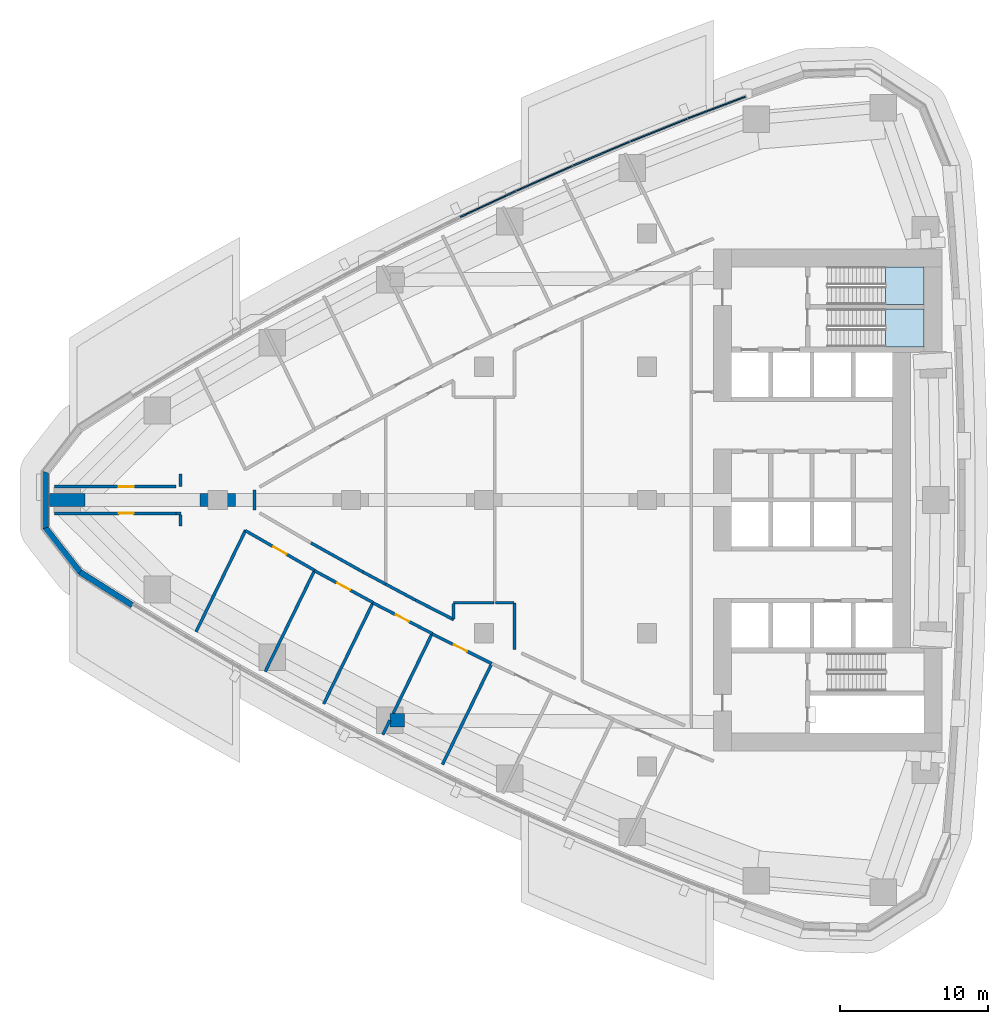
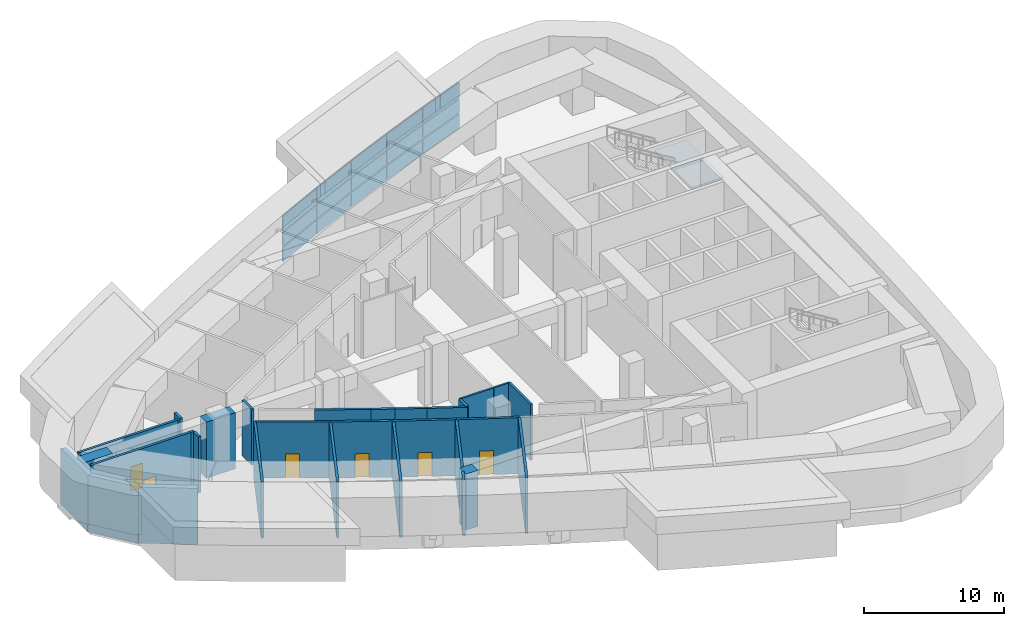
# One storey, part 9 of 17: 30 walls, 15 plates, 6 doors, 2 slabs, 6 openings, 5 elements without a shape of their own.
"""IFC4 building model written with IfcOpenShell, lengths in metres."""

from ifc_helpers import new_model, si_unit, direction, frame, frame_2d, origin, origin_2d, place, context, subcontext, project, spatial, polyline, rectangle, outline, extrude, material, layer, layer_set, type_object, element, fill, aggregate, save


model = new_model("IFC4")

# Units and contexts
model_context = context("Model", 3, precision=1e-05, world=origin(), true_north=direction((0.0, 1.0)))
body_context = subcontext(model_context, "Body", "Model", "MODEL_VIEW")
ifc_project = project(units=[si_unit("LENGTHUNIT", "METRE"), si_unit("AREAUNIT", "SQUARE_METRE"), si_unit("VOLUMEUNIT", "CUBIC_METRE"), si_unit("PLANEANGLEUNIT", "RADIAN"), si_unit("MASSUNIT", "GRAM", prefix="KILO")], contexts=[model_context])

# Site, building, storey
site_placement = place(None, origin())
site = spatial("IfcSite", under=ifc_project, at=site_placement, CompositionType="ELEMENT")
building_placement = place(site_placement, origin())
building = spatial("IfcBuilding", under=site, at=building_placement, Name="Ostrand Prow Hotel Tower", CompositionType="ELEMENT")
storey_placement = place(building_placement, frame((0.0, 0.0, 75.10009765625)))
storey = spatial("IfcBuildingStorey", under=building, at=storey_placement, Name="L17", CompositionType="ELEMENT", Elevation=75.10009765625)

# Curtain wall, plates
ifc_material_1 = material(Name="Insulated glass in bronze anodised frame", Category="glass")
ifc_layer_1 = layer(ifc_material_1, 0.199951171875)
ifc_layer_set_1 = layer_set([ifc_layer_1], Name="Insulated glass in bronze anodised frame")
curtain_wall_type = type_object("IfcCurtainWallType", Name="Plant storey louvre wall", PredefinedType="NOTDEFINED", material=ifc_layer_set_1)
curtain_wall_1_placement = place(storey_placement, origin())
curtain_wall_1 = element("IfcCurtainWall", 1, at=curtain_wall_1_placement, inside=storey, type_object=curtain_wall_type, Name="CW7 run CWN1", PredefinedType="NOTDEFINED")
ifc_material_2 = material(Name="Bronze anodised aluminium louvre", Category="aluminium")
ifc_layer_2 = layer(ifc_material_2, 0.10009765625)
ifc_layer_set_2 = layer_set([ifc_layer_2], Name="Bronze anodised aluminium louvre")
plate_type = type_object("IfcPlateType", Name="Bronze louvre panel 100 mm", PredefinedType="CURTAIN_PANEL", material=ifc_layer_set_2)
plate_1_placement = place(storey_placement, frame((49.7138671875, 26.513671875, 0.89990234375), z_axis=(0.0, 0.0, 1.0), x_axis=(-0.934969388384, -0.354728407072, 0.0)))
plate_1 = element("IfcPlate", 2, at=plate_1_placement, type_object=plate_type, Name="CW7 PN-V panel 1.1", PredefinedType="CURTAIN_PANEL", context=body_context, shape_type="SweptSolid", body=[
    extrude(rectangle(XDim=4.13427734375, YDim=0.10009765625, at=origin_2d()), origin(), (0.0, 0.0, 1.0), 1.239990234375),
])
plate_2_placement = place(storey_placement, frame((49.7138671875, 26.513671875, 2.259765625), z_axis=(0.0, 0.0, 1.0), x_axis=(-0.934969388384, -0.354728407072, 0.0)))
plate_2 = element("IfcPlate", 3, at=plate_2_placement, type_object=plate_type, Name="CW7 PN-V panel 1.2", PredefinedType="CURTAIN_PANEL", context=body_context, shape_type="SweptSolid", body=[
    extrude(rectangle(XDim=4.13427734375, YDim=0.10009765625, at=origin_2d()), origin(), (0.0, 0.0, 1.0), 1.179931640625),
])
plate_3_placement = place(storey_placement, frame((49.7138671875, 26.513671875, 3.56005859375), z_axis=(0.0, 0.0, 1.0), x_axis=(-0.934969388384, -0.354728407072, 0.0)))
plate_3 = element("IfcPlate", 4, at=plate_3_placement, type_object=plate_type, Name="CW7 PN-V panel 1.3", PredefinedType="CURTAIN_PANEL", context=body_context, shape_type="SweptSolid", body=[
    extrude(rectangle(XDim=4.13427734375, YDim=0.10009765625, at=origin_2d()), origin(), (0.0, 0.0, 1.0), 1.340087890625),
])
plate_4_placement = place(storey_placement, frame((45.806396484375, 24.989990234375, 0.89990234375), z_axis=(0.0, 0.0, 1.0), x_axis=(-0.928283463577, -0.371873380669, 0.0)))
plate_4 = element("IfcPlate", 5, at=plate_4_placement, type_object=plate_type, Name="CW7 PN-V panel 2.1", PredefinedType="CURTAIN_PANEL", context=body_context, shape_type="SweptSolid", body=[
    extrude(rectangle(XDim=4.13427734375, YDim=0.10009765625, at=origin_2d()), origin(), (0.0, 0.0, 1.0), 1.239990234375),
])
plate_5_placement = place(storey_placement, frame((45.806396484375, 24.989990234375, 2.259765625), z_axis=(0.0, 0.0, 1.0), x_axis=(-0.928283463577, -0.371873380669, 0.0)))
plate_5 = element("IfcPlate", 6, at=plate_5_placement, type_object=plate_type, Name="CW7 PN-V panel 2.2", PredefinedType="CURTAIN_PANEL", context=body_context, shape_type="SweptSolid", body=[
    extrude(rectangle(XDim=4.13427734375, YDim=0.10009765625, at=origin_2d()), origin(), (0.0, 0.0, 1.0), 1.179931640625),
])
plate_6_placement = place(storey_placement, frame((45.806396484375, 24.989990234375, 3.56005859375), z_axis=(0.0, 0.0, 1.0), x_axis=(-0.928283463577, -0.371873380669, 0.0)))
plate_6 = element("IfcPlate", 7, at=plate_6_placement, type_object=plate_type, Name="CW7 PN-V panel 2.3", PredefinedType="CURTAIN_PANEL", context=body_context, shape_type="SweptSolid", body=[
    extrude(rectangle(XDim=4.13427734375, YDim=0.10009765625, at=origin_2d()), origin(), (0.0, 0.0, 1.0), 1.340087890625),
])
aggregate(curtain_wall_1, [plate_1, plate_2, plate_3, plate_4, plate_5, plate_6])

curtain_wall_2_placement = place(storey_placement, origin())
curtain_wall_2 = element("IfcCurtainWall", 8, at=curtain_wall_2_placement, inside=storey, type_object=curtain_wall_type, Name="CW7 run CWN2", PredefinedType="NOTDEFINED")
plate_7_placement = place(storey_placement, frame((41.927490234375, 23.39453125, 0.89990234375), z_axis=(0.0, 0.0, 1.0), x_axis=(-0.921283173987, -0.388892418709, 0.0)))
plate_7 = element("IfcPlate", 9, at=plate_7_placement, type_object=plate_type, Name="CW7 PN-V panel 1.1", PredefinedType="CURTAIN_PANEL", context=body_context, shape_type="SweptSolid", body=[
    extrude(rectangle(XDim=4.13427734375, YDim=0.10009765625, at=origin_2d()), origin(), (0.0, 0.0, 1.0), 1.239990234375),
])
plate_8_placement = place(storey_placement, frame((41.927490234375, 23.39453125, 2.259765625), z_axis=(0.0, 0.0, 1.0), x_axis=(-0.921283173987, -0.388892418709, 0.0)))
plate_8 = element("IfcPlate", 10, at=plate_8_placement, type_object=plate_type, Name="CW7 PN-V panel 1.2", PredefinedType="CURTAIN_PANEL", context=body_context, shape_type="SweptSolid", body=[
    extrude(rectangle(XDim=4.13427734375, YDim=0.10009765625, at=origin_2d()), origin(), (0.0, 0.0, 1.0), 1.179931640625),
])
plate_9_placement = place(storey_placement, frame((41.927490234375, 23.39453125, 3.56005859375), z_axis=(0.0, 0.0, 1.0), x_axis=(-0.921283173987, -0.388892418709, 0.0)))
plate_9 = element("IfcPlate", 11, at=plate_9_placement, type_object=plate_type, Name="CW7 PN-V panel 1.3", PredefinedType="CURTAIN_PANEL", context=body_context, shape_type="SweptSolid", body=[
    extrude(rectangle(XDim=4.13427734375, YDim=0.10009765625, at=origin_2d()), origin(), (0.0, 0.0, 1.0), 1.340087890625),
])
plate_10_placement = place(storey_placement, frame((38.078857421875, 21.72802734375, 0.89990234375), z_axis=(0.0, 0.0, 1.0), x_axis=(-0.913970890274, -0.405779757666, 0.0)))
plate_10 = element("IfcPlate", 12, at=plate_10_placement, type_object=plate_type, Name="CW7 PN-V panel 2.1", PredefinedType="CURTAIN_PANEL", context=body_context, shape_type="SweptSolid", body=[
    extrude(rectangle(XDim=4.13427734375, YDim=0.10009765625, at=origin_2d()), origin(), (0.0, 0.0, 1.0), 1.239990234375),
])
plate_11_placement = place(storey_placement, frame((38.078857421875, 21.72802734375, 2.259765625), z_axis=(0.0, 0.0, 1.0), x_axis=(-0.913970890274, -0.405779757666, 0.0)))
plate_11 = element("IfcPlate", 13, at=plate_11_placement, type_object=plate_type, Name="CW7 PN-V panel 2.2", PredefinedType="CURTAIN_PANEL", context=body_context, shape_type="SweptSolid", body=[
    extrude(rectangle(XDim=4.13427734375, YDim=0.10009765625, at=origin_2d()), origin(), (0.0, 0.0, 1.0), 1.179931640625),
])
plate_12_placement = place(storey_placement, frame((38.078857421875, 21.72802734375, 3.56005859375), z_axis=(0.0, 0.0, 1.0), x_axis=(-0.913970890274, -0.405779757666, 0.0)))
plate_12 = element("IfcPlate", 14, at=plate_12_placement, type_object=plate_type, Name="CW7 PN-V panel 2.3", PredefinedType="CURTAIN_PANEL", context=body_context, shape_type="SweptSolid", body=[
    extrude(rectangle(XDim=4.13427734375, YDim=0.10009765625, at=origin_2d()), origin(), (0.0, 0.0, 1.0), 1.340087890625),
])
aggregate(curtain_wall_2, [plate_7, plate_8, plate_9, plate_10, plate_11, plate_12])

curtain_wall_3_placement = place(storey_placement, origin())
curtain_wall_3 = element("IfcCurtainWall", 15, at=curtain_wall_3_placement, inside=storey, type_object=curtain_wall_type, Name="CW7 run CWN3", PredefinedType="NOTDEFINED")
plate_13_placement = place(storey_placement, frame((34.26123046875, 19.990966796875, 0.89990234375), z_axis=(0.0, 0.0, 1.0), x_axis=(-0.906349088757, -0.422529678615, 0.0)))
plate_13 = element("IfcPlate", 16, at=plate_13_placement, type_object=plate_type, Name="CW7 PN-V panel 1.1", PredefinedType="CURTAIN_PANEL", context=body_context, shape_type="SweptSolid", body=[
    extrude(rectangle(XDim=4.13427734375, YDim=0.10009765625, at=origin_2d()), origin(), (0.0, 0.0, 1.0), 1.239990234375),
])
plate_14_placement = place(storey_placement, frame((34.26123046875, 19.990966796875, 2.259765625), z_axis=(0.0, 0.0, 1.0), x_axis=(-0.906349088757, -0.422529678615, 0.0)))
plate_14 = element("IfcPlate", 17, at=plate_14_placement, type_object=plate_type, Name="CW7 PN-V panel 1.2", PredefinedType="CURTAIN_PANEL", context=body_context, shape_type="SweptSolid", body=[
    extrude(rectangle(XDim=4.13427734375, YDim=0.10009765625, at=origin_2d()), origin(), (0.0, 0.0, 1.0), 1.179931640625),
])
plate_15_placement = place(storey_placement, frame((34.26123046875, 19.990966796875, 3.56005859375), z_axis=(0.0, 0.0, 1.0), x_axis=(-0.906349088757, -0.422529678615, 0.0)))
plate_15 = element("IfcPlate", 18, at=plate_15_placement, type_object=plate_type, Name="CW7 PN-V panel 1.3", PredefinedType="CURTAIN_PANEL", context=body_context, shape_type="SweptSolid", body=[
    extrude(rectangle(XDim=4.13427734375, YDim=0.10009765625, at=origin_2d()), origin(), (0.0, 0.0, 1.0), 1.340087890625),
])
aggregate(curtain_wall_3, [plate_13, plate_14, plate_15])

# Stair, slab
ifc_material_3 = material(Name="Concrete C40/50", Category="concrete")
stair_type = type_object("IfcStairType", Name="Exit stair 1200 upper zone", PredefinedType="HALF_TURN_STAIR", material=ifc_material_3)
stair_1_placement = place(storey_placement, origin())
stair_1 = element("IfcStair", 19, at=stair_1_placement, inside=storey, type_object=stair_type, Name="L17 ST1C", PredefinedType="HALF_TURN_STAIR")
ifc_material_4 = material(Name="Concrete C40/50", Category="concrete")
ifc_layer_3 = layer(ifc_material_4, 0.199951171875)
ifc_layer_set_3 = layer_set([ifc_layer_3], Name="Concrete C40/50")
slab_type = type_object("IfcSlabType", Name="Stair landing 200 concrete", PredefinedType="LANDING", material=ifc_layer_set_3)
slab_1_placement = place(storey_placement, frame((0.0, 0.0, 2.39990234375)))
slab_1 = element("IfcSlab", 20, at=slab_1_placement, type_object=slab_type, Name="ST1C landing 1", PredefinedType="LANDING", context=body_context, shape_type="SweptSolid", body=[
    extrude(outline(polyline([(61.1201171875, 10.35009765625), (63.719970703125, 10.35009765625), (63.719970703125, 12.89990234375), (61.1201171875, 12.89990234375), (61.1201171875, 10.35009765625)])), origin(), (0.0, 0.0, 1.0), 0.199951171875),
])
aggregate(stair_1, [slab_1])

stair_2_placement = place(storey_placement, origin())
stair_2 = element("IfcStair", 21, at=stair_2_placement, inside=storey, type_object=stair_type, Name="L17 ST3C", PredefinedType="HALF_TURN_STAIR")
slab_2_placement = place(storey_placement, frame((0.0, 0.0, 2.39990234375)))
slab_2 = element("IfcSlab", 22, at=slab_2_placement, type_object=slab_type, Name="ST3C landing 1", PredefinedType="LANDING", context=body_context, shape_type="SweptSolid", body=[
    extrude(outline(polyline([(61.1201171875, 13.199951171875), (63.719970703125, 13.199951171875), (63.719970703125, 15.75), (61.1201171875, 15.75), (61.1201171875, 13.199951171875)])), origin(), (0.0, 0.0, 1.0), 0.199951171875),
])
aggregate(stair_2, [slab_2])

# Walls
ifc_material_5 = material(Name="Concrete C80/95", Category="concrete")
ifc_layer_4 = layer(ifc_material_5, 0.89990234375)
ifc_layer_set_4 = layer_set([ifc_layer_4], Name="Concrete C80/95")
wall_type_1 = type_object("IfcWallType", Name="Outrigger wall 900 C80/95", PredefinedType="SHEAR", material=ifc_layer_set_4)
wall_1_placement = place(storey_placement, frame((4.6484375, 0.0, 0.0), z_axis=(0.0, 0.0, 1.0), x_axis=(1.0, 0.0, 0.0)))
element("IfcWall", 23, at=wall_1_placement, inside=storey, type_object=wall_type_1, Name="Outrigger wall A1", PredefinedType="SHEAR", context=body_context, shape_type="SweptSolid", body=[
    extrude(rectangle(XDim=2.400146484375, YDim=0.89990234375, at=frame_2d((1.2001953125, 0.0))), origin(), (0.0, 0.0, 1.0), 4.89990234375),
])
wall_2_placement = place(storey_placement, frame((14.800048828125, 0.0, 0.0), z_axis=(0.0, 0.0, 1.0), x_axis=(1.0, 0.0, 0.0)))
element("IfcWall", 24, at=wall_2_placement, inside=storey, type_object=wall_type_1, Name="Outrigger wall A2", PredefinedType="SHEAR", context=body_context, shape_type="SweptSolid", body=[
    extrude(rectangle(XDim=2.39990234375, YDim=0.89990234375, at=frame_2d((1.199951171875, 0.0))), origin(), (0.0, 0.0, 1.0), 4.89990234375),
])
wall_3_placement = place(storey_placement, frame((28.635498046875, -14.8798828125, 0.0), z_axis=(0.0, 0.0, 1.0), x_axis=(-0.999984234944, 0.005615145851, 0.0)))
element("IfcWall", 25, at=wall_3_placement, inside=storey, type_object=wall_type_1, Name="Outrigger wall DS2", PredefinedType="SHEAR", context=body_context, shape_type="SweptSolid", body=[
    extrude(rectangle(XDim=1.0, YDim=0.89990234375, at=frame_2d((0.5, 0.0))), origin(), (0.0, 0.0, 1.0), 4.89990234375),
])
ifc_material_6 = material(Name="Plasterboard partition")
ifc_layer_5 = layer(ifc_material_6, 0.14990234375)
ifc_layer_set_5 = layer_set([ifc_layer_5], Name="Plasterboard partition")
wall_type_2 = type_object("IfcWallType", Name="Partition 150 room partition", PredefinedType="PARTITIONING", material=ifc_layer_set_5)
wall_4_placement = place(storey_placement, frame((34.68505859375, -6.945068359375, 0.0), z_axis=(0.0, 0.0, 1.0), x_axis=(-0.999999996022, -8.9198109e-05, 0.0)))
element("IfcWall", 26, at=wall_4_placement, inside=storey, type_object=wall_type_2, Name="ROOM PARTITION", PredefinedType="PARTITIONING", context=body_context, shape_type="SweptSolid", body=[
    extrude(rectangle(XDim=2.737060546875, YDim=0.14990234375, at=frame_2d((1.36865234375, 0.0))), origin(), (0.0, 0.0, 1.0), 4.89990234375),
])
wall_5_placement = place(storey_placement, frame((36.0146484375, -6.947998046875, 0.0), z_axis=(0.0, 0.0, 1.0), x_axis=(-0.999997252356, 0.002344201412, 0.0)))
element("IfcWall", 27, at=wall_5_placement, inside=storey, type_object=wall_type_2, Name="ROOM PARTITION", PredefinedType="PARTITIONING", context=body_context, shape_type="SweptSolid", body=[
    extrude(rectangle(XDim=1.249755859375, YDim=0.14990234375, at=frame_2d((0.625, 0.0))), origin(), (0.0, 0.0, 1.0), 4.89990234375),
])

# Wall, opening, door
ifc_material_7 = material(Name="Plasterboard partition")
ifc_layer_6 = layer(ifc_material_7, 0.199951171875)
ifc_layer_set_6 = layer_set([ifc_layer_6], Name="Plasterboard partition")
wall_type_3 = type_object("IfcWallType", Name="Partition 200 corridor wall", PredefinedType="PARTITIONING", material=ifc_layer_set_6)
wall_6_placement = place(storey_placement, frame((17.87353515625, -2.068115234375, 0.0), z_axis=(0.0, 0.0, 1.0), x_axis=(0.867093061484, -0.4981461861, 0.0)))
wall_6 = element("IfcWall", 28, at=wall_6_placement, inside=storey, type_object=wall_type_3, Name="CORRIDOR WALL", PredefinedType="PARTITIONING", context=body_context, shape_type="SweptSolid", body=[
    extrude(rectangle(XDim=5.39306640625, YDim=0.199951171875, at=frame_2d((2.696533203125, 0.0))), origin(), (0.0, 0.0, 1.0), 4.89990234375),
])
opening_1_placement = place(wall_6_placement, frame((2.196533203125, 0.0, 0.0)))
opening_1 = element("IfcOpeningElement", 29, at=opening_1_placement, cuts=wall_6, Name="Opening D1", PredefinedType="OPENING", context=body_context, shape_type="SweptSolid", body=[
    extrude(rectangle(XDim=1.0, YDim=2.10009765625, at=frame_2d((0.5, 1.050048828125))), frame((0.0, 0.10986328125, 0.0), z_axis=(0.0, -1.0, 0.0), x_axis=(1.0, 0.0, 0.0)), (0.0, 0.0, 1.0), 0.219970703125),
])
ifc_material_8 = material(Name="Timber door leaf", Category="wood")
door_type_1 = type_object("IfcDoorType", Name="Guest room door 1000", OperationType="SINGLE_SWING_LEFT", PredefinedType="DOOR", material=ifc_material_8)
door_1_placement = place(opening_1_placement, origin())
door_1 = element("IfcDoor", 30, at=door_1_placement, inside=storey, type_object=door_type_1, Name="DOOR", OperationType="SINGLE_SWING_LEFT", OverallHeight=2.10009765625, OverallWidth=1.0, PredefinedType="DOOR", context=body_context, shape_type="SweptSolid", body=[
    extrude(rectangle(XDim=1.0, YDim=2.10009765625, at=frame_2d((0.5, 1.050048828125))), frame((0.0, 0.02490234375, 0.0), z_axis=(0.0, -1.0, 0.0), x_axis=(1.0, 0.0, 0.0)), (0.0, 0.0, 1.0), 0.050048828125),
])
fill(opening_1, door_1)

wall_7_placement = place(storey_placement, frame((22.541015625, -4.772705078125, 0.0), z_axis=(0.0, 0.0, 1.0), x_axis=(0.878098348451, -0.478480188146, 0.0)))
wall_7 = element("IfcWall", 31, at=wall_7_placement, inside=storey, type_object=wall_type_3, Name="CORRIDOR WALL", PredefinedType="PARTITIONING", context=body_context, shape_type="SweptSolid", body=[
    extrude(rectangle(XDim=4.507568359375, YDim=0.199951171875, at=frame_2d((2.25390625, 0.0))), origin(), (0.0, 0.0, 1.0), 4.89990234375),
])
opening_2_placement = place(wall_7_placement, frame((1.75390625, 0.0, 0.0)))
opening_2 = element("IfcOpeningElement", 32, at=opening_2_placement, cuts=wall_7, Name="Opening D1R", PredefinedType="OPENING", context=body_context, shape_type="SweptSolid", body=[
    extrude(rectangle(XDim=1.0, YDim=2.10009765625, at=frame_2d((0.5, 1.050048828125))), frame((0.0, 0.10986328125, 0.0), z_axis=(0.0, -1.0, 0.0), x_axis=(1.0, 0.0, 0.0)), (0.0, 0.0, 1.0), 0.219970703125),
])
ifc_material_9 = material(Name="Timber door leaf", Category="wood")
door_type_2 = type_object("IfcDoorType", Name="Guest room door 1000 right", OperationType="SINGLE_SWING_RIGHT", PredefinedType="DOOR", material=ifc_material_9)
door_2_placement = place(opening_2_placement, origin())
door_2 = element("IfcDoor", 33, at=door_2_placement, inside=storey, type_object=door_type_2, Name="DOOR", OperationType="SINGLE_SWING_RIGHT", OverallHeight=2.10009765625, OverallWidth=1.0, PredefinedType="DOOR", context=body_context, shape_type="SweptSolid", body=[
    extrude(rectangle(XDim=1.0, YDim=2.10009765625, at=frame_2d((0.5, 1.050048828125))), frame((0.0, 0.02490234375, 0.0), z_axis=(0.0, -1.0, 0.0), x_axis=(1.0, 0.0, 0.0)), (0.0, 0.0, 1.0), 0.050048828125),
])
fill(opening_2, door_2)

wall_8_placement = place(storey_placement, frame((26.490234375, -6.947509765625, 0.0), z_axis=(0.0, 0.0, 1.0), x_axis=(0.887638836985, -0.460540220911, 0.0)))
wall_8 = element("IfcWall", 34, at=wall_8_placement, inside=storey, type_object=wall_type_3, Name="CORRIDOR WALL", PredefinedType="PARTITIONING", context=body_context, shape_type="SweptSolid", body=[
    extrude(rectangle(XDim=4.50439453125, YDim=0.199951171875, at=frame_2d((2.252197265625, 0.0))), origin(), (0.0, 0.0, 1.0), 4.89990234375),
])
opening_3_placement = place(wall_8_placement, frame((1.752197265625, 0.0, 0.0)))
opening_3 = element("IfcOpeningElement", 35, at=opening_3_placement, cuts=wall_8, Name="Opening D1", PredefinedType="OPENING", context=body_context, shape_type="SweptSolid", body=[
    extrude(rectangle(XDim=1.0, YDim=2.10009765625, at=frame_2d((0.5, 1.050048828125))), frame((0.0, 0.10986328125, 0.0), z_axis=(0.0, -1.0, 0.0), x_axis=(1.0, 0.0, 0.0)), (0.0, 0.0, 1.0), 0.219970703125),
])
door_3_placement = place(opening_3_placement, origin())
door_3 = element("IfcDoor", 36, at=door_3_placement, inside=storey, type_object=door_type_1, Name="DOOR", OperationType="SINGLE_SWING_LEFT", OverallHeight=2.10009765625, OverallWidth=1.0, PredefinedType="DOOR", context=body_context, shape_type="SweptSolid", body=[
    extrude(rectangle(XDim=1.0, YDim=2.10009765625, at=frame_2d((0.5, 1.050048828125))), frame((0.0, 0.02490234375, 0.0), z_axis=(0.0, -1.0, 0.0), x_axis=(1.0, 0.0, 0.0)), (0.0, 0.0, 1.0), 0.050048828125),
])
fill(opening_3, door_3)

wall_9_placement = place(storey_placement, frame((30.479736328125, -9.039794921875, 0.0), z_axis=(0.0, 0.0, 1.0), x_axis=(0.894989913054, -0.446086376761, 0.0)))
wall_9 = element("IfcWall", 37, at=wall_9_placement, inside=storey, type_object=wall_type_3, Name="CORRIDOR WALL", PredefinedType="PARTITIONING", context=body_context, shape_type="SweptSolid", body=[
    extrude(rectangle(XDim=4.50634765625, YDim=0.199951171875, at=frame_2d((2.253173828125, 0.0))), origin(), (0.0, 0.0, 1.0), 4.89990234375),
])
opening_4_placement = place(wall_9_placement, frame((1.64990234375, 0.0, 0.0)))
opening_4 = element("IfcOpeningElement", 38, at=opening_4_placement, cuts=wall_9, Name="Opening D1R", PredefinedType="OPENING", context=body_context, shape_type="SweptSolid", body=[
    extrude(rectangle(XDim=1.0, YDim=2.10009765625, at=frame_2d((0.5, 1.050048828125))), frame((0.0, 0.10986328125, 0.0), z_axis=(0.0, -1.0, 0.0), x_axis=(1.0, 0.0, 0.0)), (0.0, 0.0, 1.0), 0.219970703125),
])
door_4_placement = place(opening_4_placement, origin())
door_4 = element("IfcDoor", 39, at=door_4_placement, inside=storey, type_object=door_type_2, Name="DOOR", OperationType="SINGLE_SWING_RIGHT", OverallHeight=2.10009765625, OverallWidth=1.0, PredefinedType="DOOR", context=body_context, shape_type="SweptSolid", body=[
    extrude(rectangle(XDim=1.0, YDim=2.10009765625, at=frame_2d((0.5, 1.050048828125))), frame((0.0, 0.02490234375, 0.0), z_axis=(0.0, -1.0, 0.0), x_axis=(1.0, 0.0, 0.0)), (0.0, 0.0, 1.0), 0.050048828125),
])
fill(opening_4, door_4)

# Walls
wall_10_placement = place(storey_placement, frame((25.81689453125, -4.863037109375, 0.0), z_axis=(0.0, 0.0, 1.0), x_axis=(-0.872800289292, 0.488077509225, 0.0)))
element("IfcWall", 40, at=wall_10_placement, inside=storey, type_object=wall_type_3, Name="CORRIDOR WALL", PredefinedType="PARTITIONING", context=body_context, shape_type="SweptSolid", body=[
    extrude(rectangle(XDim=4.015625, YDim=0.199951171875, at=frame_2d((2.0078125, 0.0))), origin(), (0.0, 0.0, 1.0), 4.89990234375),
])
wall_11_placement = place(storey_placement, frame((27.35009765625, -5.68359375, 0.0), z_axis=(0.0, 0.0, 1.0), x_axis=(-0.881671912212, 0.471862945373, 0.0)))
element("IfcWall", 41, at=wall_11_placement, inside=storey, type_object=wall_type_3, Name="CORRIDOR WALL", PredefinedType="PARTITIONING", context=body_context, shape_type="SweptSolid", body=[
    extrude(rectangle(XDim=1.739013671875, YDim=0.199951171875, at=frame_2d((0.86962890625, 0.0))), origin(), (0.0, 0.0, 1.0), 4.89990234375),
])
wall_12_placement = place(storey_placement, frame((31.949951171875, -8.084716796875, 0.0), z_axis=(0.0, 0.0, 1.0), x_axis=(-0.890213377055, 0.455543788579, 0.0)))
element("IfcWall", 42, at=wall_12_placement, inside=storey, type_object=wall_type_3, Name="CORRIDOR WALL", PredefinedType="PARTITIONING", context=body_context, shape_type="SweptSolid", body=[
    extrude(rectangle(XDim=2.912353515625, YDim=0.199951171875, at=frame_2d((1.4560546875, 0.0))), origin(), (0.0, 0.0, 1.0), 4.89990234375),
])
wall_13_placement = place(storey_placement, frame((29.357421875, -6.758056640625, 0.0), z_axis=(0.0, 0.0, 1.0), x_axis=(-0.881642515819, 0.471917868173, 0.0)))
element("IfcWall", 43, at=wall_13_placement, inside=storey, type_object=wall_type_3, Name="CORRIDOR WALL", PredefinedType="PARTITIONING", context=body_context, shape_type="SweptSolid", body=[
    extrude(rectangle(XDim=2.27685546875, YDim=0.199951171875, at=frame_2d((1.138427734375, 0.0))), origin(), (0.0, 0.0, 1.0), 4.89990234375),
])

# Wall, opening, door
wall_14_placement = place(storey_placement, frame((4.977294921875, 0.89990234375, 0.0), z_axis=(0.0, 0.0, 1.0), x_axis=(1.0, 0.0, 0.0)))
wall_14 = element("IfcWall", 44, at=wall_14_placement, inside=storey, type_object=wall_type_3, Name="CORRIDOR WALL", PredefinedType="PARTITIONING", context=body_context, shape_type="SweptSolid", body=[
    extrude(rectangle(XDim=8.22265625, YDim=0.199951171875, at=frame_2d((4.111328125, 0.0))), origin(), (0.0, 0.0, 1.0), 4.89990234375),
])
opening_5_placement = place(wall_14_placement, frame((4.344970703125, 0.0, 0.0)))
opening_5 = element("IfcOpeningElement", 45, at=opening_5_placement, cuts=wall_14, Name="Opening D1", PredefinedType="OPENING", context=body_context, shape_type="SweptSolid", body=[
    extrude(rectangle(XDim=1.0, YDim=2.10009765625, at=frame_2d((0.5, 1.050048828125))), frame((0.0, 0.10986328125, 0.0), z_axis=(0.0, -1.0, 0.0), x_axis=(1.0, 0.0, 0.0)), (0.0, 0.0, 1.0), 0.219970703125),
])
door_5_placement = place(opening_5_placement, origin())
door_5 = element("IfcDoor", 46, at=door_5_placement, inside=storey, type_object=door_type_1, Name="DOOR", OperationType="SINGLE_SWING_LEFT", OverallHeight=2.10009765625, OverallWidth=1.0, PredefinedType="DOOR", context=body_context, shape_type="SweptSolid", body=[
    extrude(rectangle(XDim=1.0, YDim=2.10009765625, at=frame_2d((0.5, 1.050048828125))), frame((0.0, 0.02490234375, 0.0), z_axis=(0.0, -1.0, 0.0), x_axis=(1.0, 0.0, 0.0)), (0.0, 0.0, 1.0), 0.050048828125),
])
fill(opening_5, door_5)

wall_15_placement = place(storey_placement, frame((4.977294921875, -0.89990234375, 0.0), z_axis=(0.0, 0.0, 1.0), x_axis=(1.0, 0.0, 0.0)))
wall_15 = element("IfcWall", 47, at=wall_15_placement, inside=storey, type_object=wall_type_3, Name="CORRIDOR WALL", PredefinedType="PARTITIONING", context=body_context, shape_type="SweptSolid", body=[
    extrude(rectangle(XDim=8.22265625, YDim=0.199951171875, at=frame_2d((4.111328125, 0.0))), origin(), (0.0, 0.0, 1.0), 4.89990234375),
])
opening_6_placement = place(wall_15_placement, frame((4.344970703125, 0.0, 0.0)))
opening_6 = element("IfcOpeningElement", 48, at=opening_6_placement, cuts=wall_15, Name="Opening D1R", PredefinedType="OPENING", context=body_context, shape_type="SweptSolid", body=[
    extrude(rectangle(XDim=1.0, YDim=2.10009765625, at=frame_2d((0.5, 1.050048828125))), frame((0.0, 0.10986328125, 0.0), z_axis=(0.0, -1.0, 0.0), x_axis=(1.0, 0.0, 0.0)), (0.0, 0.0, 1.0), 0.219970703125),
])
door_6_placement = place(opening_6_placement, origin())
door_6 = element("IfcDoor", 49, at=door_6_placement, inside=storey, type_object=door_type_2, Name="DOOR", OperationType="SINGLE_SWING_RIGHT", OverallHeight=2.10009765625, OverallWidth=1.0, PredefinedType="DOOR", context=body_context, shape_type="SweptSolid", body=[
    extrude(rectangle(XDim=1.0, YDim=2.10009765625, at=frame_2d((0.5, 1.050048828125))), frame((0.0, 0.02490234375, 0.0), z_axis=(0.0, -1.0, 0.0), x_axis=(1.0, 0.0, 0.0)), (0.0, 0.0, 1.0), 0.050048828125),
])
fill(opening_6, door_6)

# Walls
wall_16_placement = place(storey_placement, frame((18.5048828125, -0.6669921875, 0.0), z_axis=(0.0, 0.0, 1.0), x_axis=(0.0, 1.0, 0.0)))
element("IfcWall", 50, at=wall_16_placement, inside=storey, type_object=wall_type_3, Name="CORRIDOR WALL", PredefinedType="PARTITIONING", context=body_context, shape_type="SweptSolid", body=[
    extrude(rectangle(XDim=1.333984375, YDim=0.199951171875, at=frame_2d((0.6669921875, 0.0))), origin(), (0.0, 0.0, 1.0), 4.89990234375),
])
wall_17_placement = place(storey_placement, frame((31.947998046875, -6.9853515625, 0.0), z_axis=(0.0, 0.0, 1.0), x_axis=(-0.00278485808, -0.999996122275, 0.0)))
element("IfcWall", 51, at=wall_17_placement, inside=storey, type_object=wall_type_3, Name="CORRIDOR WALL", PredefinedType="PARTITIONING", context=body_context, shape_type="SweptSolid", body=[
    extrude(rectangle(XDim=1.052001953125, YDim=0.199951171875, at=frame_2d((0.52587890625, 0.0))), origin(), (0.0, 0.0, 1.0), 4.89990234375),
])
wall_18_placement = place(storey_placement, frame((36.054931640625, -10.1083984375, 0.0), z_axis=(0.0, 0.0, 1.0), x_axis=(-7.7249903e-05, 0.999999997016, 0.0)))
element("IfcWall", 52, at=wall_18_placement, inside=storey, type_object=wall_type_3, Name="CORRIDOR WALL", PredefinedType="PARTITIONING", context=body_context, shape_type="SweptSolid", body=[
    extrude(rectangle(XDim=3.160400390625, YDim=0.199951171875, at=frame_2d((1.580078125, 0.0))), origin(), (0.0, 0.0, 1.0), 4.89990234375),
])
wall_19_placement = place(storey_placement, frame((13.49609375, 1.753173828125, 0.0), z_axis=(0.0, 0.0, 1.0), x_axis=(-0.001145802743, -0.999999343568, 0.0)))
element("IfcWall", 53, at=wall_19_placement, inside=storey, type_object=wall_type_3, Name="CORRIDOR WALL", PredefinedType="PARTITIONING", context=body_context, shape_type="SweptSolid", body=[
    extrude(rectangle(XDim=0.852294921875, YDim=0.199951171875, at=frame_2d((0.42626953125, 0.0))), origin(), (0.0, 0.0, 1.0), 4.89990234375),
])
wall_20_placement = place(storey_placement, frame((13.199951171875, -0.89990234375, 0.0), z_axis=(0.0, 0.0, 1.0), x_axis=(0.999995040027, -0.003149590677, 0.0)))
element("IfcWall", 54, at=wall_20_placement, inside=storey, type_object=wall_type_3, Name="CORRIDOR WALL", PredefinedType="PARTITIONING", context=body_context, shape_type="SweptSolid", body=[
    extrude(rectangle(XDim=0.31005859375, YDim=0.199951171875, at=frame_2d((0.155029296875, 0.0))), origin(), (0.0, 0.0, 1.0), 4.89990234375),
])
wall_21_placement = place(storey_placement, frame((13.4951171875, -1.020751953125, 0.0), z_axis=(0.0, 0.0, 1.0), x_axis=(0.001333332148, -0.999999111112, 0.0)))
element("IfcWall", 55, at=wall_21_placement, inside=storey, type_object=wall_type_3, Name="CORRIDOR WALL", PredefinedType="PARTITIONING", context=body_context, shape_type="SweptSolid", body=[
    extrude(rectangle(XDim=0.732421875, YDim=0.199951171875, at=frame_2d((0.3662109375, 0.0))), origin(), (0.0, 0.0, 1.0), 4.89990234375),
])
ifc_material_10 = material(Name="Plasterboard partition")
ifc_layer_7 = layer(ifc_material_10, 0.199951171875)
ifc_layer_set_7 = layer_set([ifc_layer_7], Name="Plasterboard partition")
wall_type_4 = type_object("IfcWallType", Name="Partition 200 key partition", PredefinedType="PARTITIONING", material=ifc_layer_set_7)
wall_22_placement = place(storey_placement, frame((14.540771484375, -8.904296875, 0.0), z_axis=(0.0, 0.0, 1.0), x_axis=(0.438213564788, 0.898870887078, 0.0)))
element("IfcWall", 56, at=wall_22_placement, inside=storey, type_object=wall_type_4, Name="KEY PARTITION", PredefinedType="PARTITIONING", context=body_context, shape_type="SweptSolid", body=[
    extrude(rectangle(XDim=7.62548828125, YDim=0.199951171875, at=frame_2d((3.812744140625, 0.0))), origin(), (0.0, 0.0, 1.0), 4.89990234375),
])
wall_23_placement = place(storey_placement, frame((19.214111328125, -11.596923828125, 0.0), z_axis=(0.0, 0.0, 1.0), x_axis=(0.438210669268, 0.898872298683, 0.0)))
element("IfcWall", 57, at=wall_23_placement, inside=storey, type_object=wall_type_4, Name="KEY PARTITION", PredefinedType="PARTITIONING", context=body_context, shape_type="SweptSolid", body=[
    extrude(rectangle(XDim=7.612060546875, YDim=0.199951171875, at=frame_2d((3.80615234375, 0.0))), origin(), (0.0, 0.0, 1.0), 4.89990234375),
])
wall_24_placement = place(storey_placement, frame((23.166259765625, -13.765625, 0.0), z_axis=(0.0, 0.0, 1.0), x_axis=(0.438215539964, 0.898869924146, 0.0)))
element("IfcWall", 58, at=wall_24_placement, inside=storey, type_object=wall_type_4, Name="KEY PARTITION", PredefinedType="PARTITIONING", context=body_context, shape_type="SweptSolid", body=[
    extrude(rectangle(XDim=7.605224609375, YDim=0.199951171875, at=frame_2d((3.802734375, 0.0))), origin(), (0.0, 0.0, 1.0), 4.89990234375),
])
wall_25_placement = place(storey_placement, frame((27.157470703125, -15.8544921875, 0.0), z_axis=(0.0, 0.0, 1.0), x_axis=(0.438326596436, 0.898815773591, 0.0)))
element("IfcWall", 59, at=wall_25_placement, inside=storey, type_object=wall_type_4, Name="KEY PARTITION", PredefinedType="PARTITIONING", context=body_context, shape_type="SweptSolid", body=[
    extrude(rectangle(XDim=1.090576171875, YDim=0.199951171875, at=frame_2d((0.54541015625, 0.0))), origin(), (0.0, 0.0, 1.0), 4.89990234375),
])
wall_26_placement = place(storey_placement, frame((27.854248046875, -14.425537109375, 0.0), z_axis=(0.0, 0.0, 1.0), x_axis=(0.438207579449, 0.898873804999, 0.0)))
element("IfcWall", 60, at=wall_26_placement, inside=storey, type_object=wall_type_4, Name="KEY PARTITION", PredefinedType="PARTITIONING", context=body_context, shape_type="SweptSolid", body=[
    extrude(rectangle(XDim=6.011474609375, YDim=0.199951171875, at=frame_2d((3.005859375, 0.0))), origin(), (0.0, 0.0, 1.0), 4.89990234375),
])
wall_27_placement = place(storey_placement, frame((31.190673828125, -17.865234375, 0.0), z_axis=(0.0, 0.0, 1.0), x_axis=(0.438187612283, 0.898883538865, 0.0)))
element("IfcWall", 61, at=wall_27_placement, inside=storey, type_object=wall_type_4, Name="KEY PARTITION", PredefinedType="PARTITIONING", context=body_context, shape_type="SweptSolid", body=[
    extrude(rectangle(XDim=7.581787109375, YDim=0.199951171875, at=frame_2d((3.791015625, 0.0))), origin(), (0.0, 0.0, 1.0), 4.89990234375),
])
ifc_material_11 = material(Name="Precast concrete C40/50", Category="concrete")
ifc_layer_8 = layer(ifc_material_11, 0.39990234375)
ifc_layer_set_8 = layer_set([ifc_layer_8], Name="Precast concrete C40/50")
wall_type_5 = type_object("IfcWallType", Name="Stone-faced precast wall 400 mm", PredefinedType="NOTDEFINED", material=ifc_layer_set_8)
wall_28_placement = place(storey_placement, frame((4.365478515625, 1.891357421875, 0.0), z_axis=(0.0, 0.0, 1.0), x_axis=(0.0, -1.0, 0.0)))
element("IfcWall", 62, at=wall_28_placement, inside=storey, type_object=wall_type_5, Name="Stone-faced wall prow 3", PredefinedType="NOTDEFINED", context=body_context, shape_type="SweptSolid", body=[
    extrude(outline(polyline([(-0.069091796875, -0.199951171875), (3.851806640625, -0.199951171875), (3.713623046875, 0.199951171875), (0.069091796875, 0.199951171875), (-0.069091796875, -0.199951171875)])), origin(), (0.0, 0.0, 1.0), 4.89990234375),
])
wall_29_placement = place(storey_placement, frame((4.365478515625, -1.891357421875, 0.0), z_axis=(0.0, 0.0, 1.0), x_axis=(0.616586647779, -0.787287054245, 0.0)))
element("IfcWall", 63, at=wall_29_placement, inside=storey, type_object=wall_type_5, Name="Stone-faced wall prow 4", PredefinedType="NOTDEFINED", context=body_context, shape_type="SweptSolid", body=[
    extrude(outline(polyline([(-0.069091796875, -0.199951171875), (3.8173828125, -0.199951171875), (3.74853515625, 0.199951171875), (0.069091796875, 0.199951171875), (-0.069091796875, -0.199951171875)])), origin(), (0.0, 0.0, 1.0), 4.89990234375),
])
wall_30_placement = place(storey_placement, frame((6.697998046875, -4.86962890625, 0.0), z_axis=(0.0, 0.0, 1.0), x_axis=(0.844551578623, -0.535474211372, 0.0)))
element("IfcWall", 64, at=wall_30_placement, inside=storey, type_object=wall_type_5, Name="Stone-faced wall prow 5", PredefinedType="NOTDEFINED", context=body_context, shape_type="SweptSolid", body=[
    extrude(outline(polyline([(-0.034423828125, -0.199951171875), (4.196044921875, -0.199951171875), (4.196044921875, 0.199951171875), (0.034423828125, 0.199951171875), (-0.034423828125, -0.199951171875)])), origin(), (0.0, 0.0, 1.0), 4.89990234375),
])

save(model, "model.ifc")
